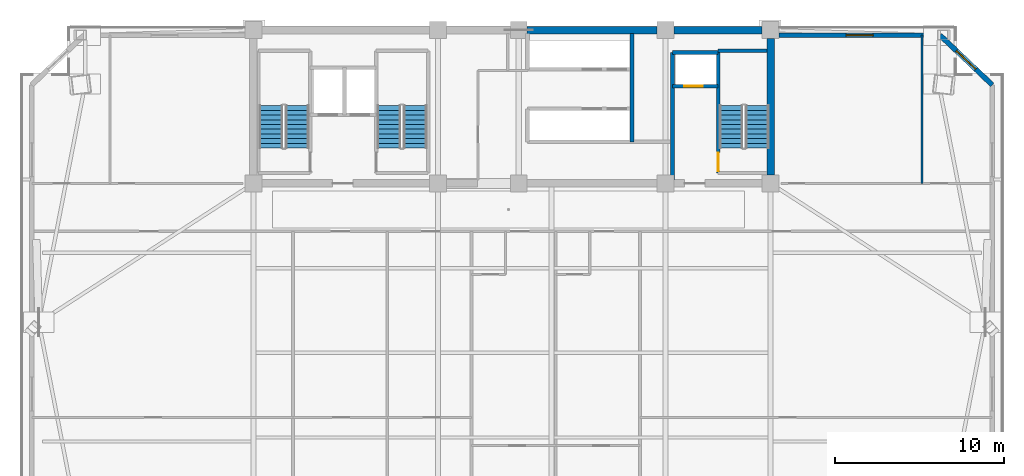
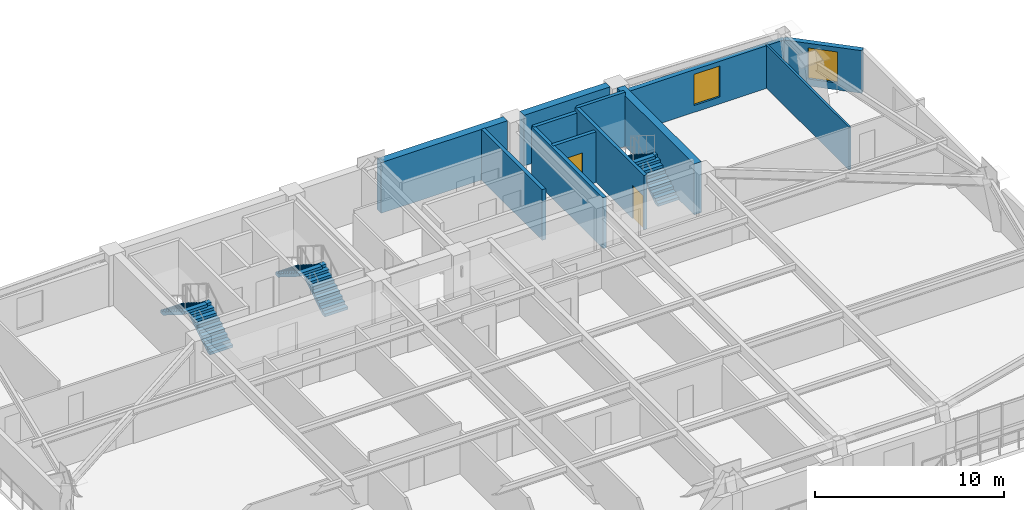
# One storey, part 10 of 16: 12 walls, 6 stair flights, 2 doors, 2 windows, 4 openings, 3 elements without a shape of their own.
"""IFC4 building model written with IfcOpenShell, lengths in metres."""

from ifc_helpers import new_model, si_unit, direction, frame, frame_2d, origin, place, context, subcontext, project, spatial, polyline, rectangle, outline, extrude, source, transform, mapped, material, layer, layer_set, type_object, element, fill, aggregate, save


model = new_model("IFC4")

# Units and contexts
model_context = context("Model", 3, precision=1e-05, world=origin(), true_north=direction((0.0, 1.0)))
body_context = subcontext(model_context, "Body", "Model", "MODEL_VIEW")
ifc_project = project(units=[si_unit("LENGTHUNIT", "METRE"), si_unit("AREAUNIT", "SQUARE_METRE"), si_unit("VOLUMEUNIT", "CUBIC_METRE"), si_unit("PLANEANGLEUNIT", "RADIAN"), si_unit("MASSUNIT", "GRAM", prefix="KILO")], contexts=[model_context])

# Site, building, storey
site_placement = place(None, origin())
site = spatial("IfcSite", under=ifc_project, at=site_placement, CompositionType="ELEMENT")
building_placement = place(site_placement, origin())
building = spatial("IfcBuilding", under=site, at=building_placement, Name="Giltprow Tower", CompositionType="ELEMENT")
storey_placement = place(building_placement, frame((0.0, 0.0, 209.699951171875)))
storey = spatial("IfcBuildingStorey", under=building, at=storey_placement, Name="L53", CompositionType="ELEMENT", Elevation=209.699951171875)

# Wall, opening, window
ifc_material_1 = material(Name="Precast concrete C40", Category="concrete")
ifc_layer_1 = layer(ifc_material_1, 0.300048828125, Name="Precast concrete C40")
ifc_layer_set_1 = layer_set([ifc_layer_1], Name="Precast concrete C40")
wall_type_1 = type_object("IfcWallType", Name="EW-NOTCH-CHAMFER-300", PredefinedType="SOLIDWALL", material=ifc_layer_set_1)
wall_1_placement = place(storey_placement, frame((63.697998046875, 43.300048828125, 0.0), z_axis=(0.0, 0.0, 1.0), x_axis=(-0.724432277522, 0.689345976476, 0.0)))
wall_1 = element("IfcWall", 1, at=wall_1_placement, inside=storey, type_object=wall_type_1, Name="L53 Corner Notch Wall NE", PredefinedType="SOLIDWALL", context=body_context, shape_type="SweptSolid", body=[
    extrude(rectangle(XDim=4.279296875, YDim=0.300048828125, at=frame_2d((2.1396484375, 0.0))), origin(), (0.0, 0.0, 1.0), 2.75),
])
opening_1_placement = place(wall_1_placement, frame((1.340087890625, 0.0, 0.449951171875)))
opening_1 = element("IfcOpeningElement", 2, at=opening_1_placement, cuts=wall_1, Name="Opening WN17", PredefinedType="OPENING", context=body_context, shape_type="SweptSolid", body=[
    extrude(rectangle(XDim=1.60009765625, YDim=2.0, at=frame_2d((0.800048828125, 1.0))), frame((0.0, 0.159912109375, 0.0), z_axis=(0.0, -1.0, 0.0), x_axis=(1.0, 0.0, 0.0)), (0.0, 0.0, 1.0), 0.320068359375),
])
ifc_material_2 = material(Name="Insulated glass", Category="glass")
window_type = type_object("IfcWindowType", Name="WN-COR-1600x2000", PartitioningType="SINGLE_PANEL", PredefinedType="WINDOW", material=ifc_material_2)
shared_shape_1 = source(origin(), body_context, "Body", "SweptSolid", [
    extrude(rectangle(XDim=1.60009765625, YDim=2.0, at=frame_2d((0.800048828125, 1.0))), frame((0.0, 0.030029296875, 0.0), z_axis=(0.0, -1.0, 0.0), x_axis=(1.0, 0.0, 0.0)), (0.0, 0.0, 1.0), 0.06005859375),
])
window_1_placement = place(opening_1_placement, origin())
window_1 = element("IfcWindow", 3, at=window_1_placement, inside=storey, type_object=window_type, Name="L53 Corner Notch Window NE", OverallHeight=2.0, OverallWidth=1.60009765625, PartitioningType="SINGLE_PANEL", PredefinedType="WINDOW", context=body_context, shape_type="MappedRepresentation", body=[
    mapped(shared_shape_1, transform((0.0, 0.0, 0.0), x_axis=(1.0, 0.0, 0.0), y_axis=(0.0, 1.0, 0.0), z_axis=(0.0, 0.0, 1.0), scale=1.0)),
])
fill(opening_1, window_1)

ifc_layer_2 = layer(ifc_material_1, 0.280029296875, Name="Precast concrete C40")
ifc_layer_set_2 = layer_set([ifc_layer_2], Name="Precast concrete C40")
wall_type_2 = type_object("IfcWallType", Name="EW-TOW-BRONZE-280", PredefinedType="SOLIDWALL", material=ifc_layer_set_2)
wall_2_placement = place(storey_placement, frame((51.050048828125, 46.25, 0.0), z_axis=(0.0, 0.0, 1.0), x_axis=(1.0, 0.0, 0.0)))
wall_2 = element("IfcWall", 4, at=wall_2_placement, inside=storey, type_object=wall_type_2, Name="L53 North-East Wing Wall", PredefinedType="SOLIDWALL", context=body_context, shape_type="SweptSolid", body=[
    extrude(rectangle(XDim=9.5478515625, YDim=0.280029296875, at=frame_2d((4.77392578125, 0.0))), origin(), (0.0, 0.0, 1.0), 2.75),
])
opening_2_placement = place(wall_2_placement, frame((3.97412109375, 0.0, 0.449951171875)))
opening_2 = element("IfcOpeningElement", 5, at=opening_2_placement, cuts=wall_2, Name="Opening WN17", PredefinedType="OPENING", context=body_context, shape_type="SweptSolid", body=[
    extrude(rectangle(XDim=1.60009765625, YDim=2.0, at=frame_2d((0.800048828125, 1.0))), frame((0.0, 0.14990234375, 0.0), z_axis=(0.0, -1.0, 0.0), x_axis=(1.0, 0.0, 0.0)), (0.0, 0.0, 1.0), 0.300048828125),
])
window_2_placement = place(opening_2_placement, origin())
window_2 = element("IfcWindow", 6, at=window_2_placement, inside=storey, type_object=window_type, Name="L53 North-East Window", OverallHeight=2.0, OverallWidth=1.60009765625, PartitioningType="SINGLE_PANEL", PredefinedType="WINDOW", context=body_context, shape_type="MappedRepresentation", body=[
    mapped(shared_shape_1, transform((0.0, 0.0, 0.0), x_axis=(1.0, 0.0, 0.0), y_axis=(0.0, 1.0, 0.0), z_axis=(0.0, 0.0, 1.0), scale=1.0)),
])
fill(opening_2, window_2)

# Wall, opening, door
ifc_material_3 = material(Name="Concrete C40", Category="concrete")
ifc_layer_3 = layer(ifc_material_3, 0.219970703125, Name="Concrete C40")
ifc_layer_set_3 = layer_set([ifc_layer_3], Name="Concrete C40")
wall_type_3 = type_object("IfcWallType", Name="IW-SHAFT-220", PredefinedType="SOLIDWALL", material=ifc_layer_set_3)
wall_3_placement = place(storey_placement, frame((44.719970703125, 43.219970703125, 0.0), z_axis=(0.0, 0.0, 1.0), x_axis=(1.0, 0.0, 0.0)))
wall_3 = element("IfcWall", 7, at=wall_3_placement, inside=storey, type_object=wall_type_3, Name="L53 FFL2 Front Shaft Wall", PredefinedType="SOLIDWALL", context=body_context, shape_type="SweptSolid", body=[
    extrude(rectangle(XDim=2.719970703125, YDim=0.219970703125, at=frame_2d((1.35986328125, 0.0))), origin(), (0.0, 0.0, 1.0), 3.27001953125),
])
opening_3_placement = place(wall_3_placement, frame((0.699951171875, 0.0, 0.0)))
opening_3 = element("IfcOpeningElement", 8, at=opening_3_placement, cuts=wall_3, Name="Opening LD-11", PredefinedType="OPENING", context=body_context, shape_type="SweptSolid", body=[
    extrude(rectangle(XDim=1.10009765625, YDim=2.199951171875, at=frame_2d((0.550048828125, 1.10009765625))), frame((0.0, 0.119873046875, 0.0), z_axis=(0.0, -1.0, 0.0), x_axis=(1.0, 0.0, 0.0)), (0.0, 0.0, 1.0), 0.239990234375),
])
ifc_material_4 = material(Name="Stainless steel", Category="steel")
door_type_1 = type_object("IfcDoorType", Name="DR-LIFT-LD1100", OperationType="SLIDING_TO_LEFT", PredefinedType="DOOR", material=ifc_material_4)
shared_shape_2 = source(origin(), body_context, "Body", "SweptSolid", [
    extrude(rectangle(XDim=1.10009765625, YDim=2.199951171875, at=frame_2d((0.550048828125, 1.10009765625))), frame((0.0, 0.02490234375, 0.0), z_axis=(0.0, -1.0, 0.0), x_axis=(1.0, 0.0, 0.0)), (0.0, 0.0, 1.0), 0.050048828125),
])
door_1_placement = place(opening_3_placement, origin())
door_1 = element("IfcDoor", 9, at=door_1_placement, inside=storey, type_object=door_type_1, Name="L53 FFL2 Landing Door", OperationType="SLIDING_TO_LEFT", OverallHeight=2.199951171875, OverallWidth=1.10009765625, PredefinedType="DOOR", context=body_context, shape_type="MappedRepresentation", body=[
    mapped(shared_shape_2, transform((0.0, 0.0, 0.0), x_axis=(1.0, 0.0, 0.0), y_axis=(0.0, 1.0, 0.0), z_axis=(0.0, 0.0, 1.0), scale=1.0)),
])
fill(opening_3, door_1)

# Walls
wall_4_placement = place(storey_placement, frame((44.719970703125, 45.219970703125, 0.0), z_axis=(0.0, 0.0, 1.0), x_axis=(1.0, 0.0, 0.0)))
element("IfcWall", 10, at=wall_4_placement, inside=storey, type_object=wall_type_3, Name="L53 FFL2 Back Shaft Wall", PredefinedType="SOLIDWALL", context=body_context, shape_type="SweptSolid", body=[
    extrude(rectangle(XDim=2.719970703125, YDim=0.219970703125, at=frame_2d((1.35986328125, 0.0))), origin(), (0.0, 0.0, 1.0), 3.27001953125),
])
wall_5_placement = place(storey_placement, frame((44.719970703125, 37.655029296875, 0.0), z_axis=(0.0, 0.0, 1.0), x_axis=(0.0, 1.0, 0.0)))
element("IfcWall", 11, at=wall_5_placement, inside=storey, type_object=wall_type_3, Name="L53 East Firefighting Lobby West Wall", PredefinedType="SOLIDWALL", context=body_context, shape_type="SweptSolid", body=[
    extrude(rectangle(XDim=7.56494140625, YDim=0.219970703125, at=frame_2d((3.782470703125, 0.0))), origin(), (0.0, 0.0, 1.0), 3.27001953125),
])
wall_6_placement = place(storey_placement, frame((42.320068359375, 39.919921875, 0.0), z_axis=(0.0, 0.0, 1.0), x_axis=(0.0, 1.0, 0.0)))
element("IfcWall", 12, at=wall_6_placement, inside=storey, type_object=wall_type_3, Name="L53 Mid-Rise Lift Bank East Closure", PredefinedType="SOLIDWALL", context=body_context, shape_type="SweptSolid", body=[
    extrude(rectangle(XDim=6.425048828125, YDim=0.219970703125, at=frame_2d((3.21240234375, 0.0))), origin(), (0.0, 0.0, 1.0), 3.27001953125),
])

# Wall, opening, door
ifc_layer_4 = layer(ifc_material_3, 0.199951171875, Name="Concrete C40")
ifc_layer_set_4 = layer_set([ifc_layer_4], Name="Concrete C40")
wall_type_4 = type_object("IfcWallType", Name="IW-STAIR-200", PredefinedType="SOLIDWALL", material=ifc_layer_set_4)
wall_7_placement = place(storey_placement, frame((47.43994140625, 38.070068359375, 0.0), z_axis=(0.0, 0.0, 1.0), x_axis=(0.0, 1.0, 0.0)))
wall_7 = element("IfcWall", 13, at=wall_7_placement, inside=storey, type_object=wall_type_4, Name="L53 Stair ST-3 West Bearing Wall", PredefinedType="SOLIDWALL", context=body_context, shape_type="SweptSolid", body=[
    extrude(rectangle(XDim=7.25, YDim=0.199951171875, at=frame_2d((3.625, 0.0))), origin(), (0.0, 0.0, 1.0), 3.5),
])
opening_4_placement = place(wall_7_placement, frame((0.110107421875, 0.0, 0.0)))
opening_4 = element("IfcOpeningElement", 14, at=opening_4_placement, cuts=wall_7, Name="Opening ID33", PredefinedType="OPENING", context=body_context, shape_type="SweptSolid", body=[
    extrude(rectangle(XDim=1.10009765625, YDim=2.14990234375, at=frame_2d((0.550048828125, 1.074951171875))), frame((0.0, 0.10986328125, 0.0), z_axis=(0.0, -1.0, 0.0), x_axis=(1.0, 0.0, 0.0)), (0.0, 0.0, 1.0), 0.219970703125),
])
ifc_material_5 = material(Name="Steel fire leaf", Category="steel")
door_type_2 = type_object("IfcDoorType", Name="DR-STAIR-1100", OperationType="SINGLE_SWING_LEFT", PredefinedType="DOOR", material=ifc_material_5)
shared_shape_3 = source(origin(), body_context, "Body", "SweptSolid", [
    extrude(rectangle(XDim=1.10009765625, YDim=2.14990234375, at=frame_2d((0.550048828125, 1.074951171875))), frame((0.0, 0.02490234375, 0.0), z_axis=(0.0, -1.0, 0.0), x_axis=(1.0, 0.0, 0.0)), (0.0, 0.0, 1.0), 0.050048828125),
])
door_2_placement = place(opening_4_placement, origin())
door_2 = element("IfcDoor", 15, at=door_2_placement, inside=storey, type_object=door_type_2, Name="L53 Stair ST-3 Fire Door", OperationType="SINGLE_SWING_LEFT", OverallHeight=2.14990234375, OverallWidth=1.10009765625, PredefinedType="DOOR", context=body_context, shape_type="MappedRepresentation", body=[
    mapped(shared_shape_3, transform((0.0, 0.0, 0.0), x_axis=(1.0, 0.0, 0.0), y_axis=(0.0, 1.0, 0.0), z_axis=(0.0, 0.0, 1.0), scale=1.0)),
])
fill(opening_4, door_2)

# Walls
wall_8_placement = place(storey_placement, frame((47.43994140625, 45.320068359375, 0.0), z_axis=(0.0, 0.0, 1.0), x_axis=(1.0, 0.0, 0.0)))
element("IfcWall", 16, at=wall_8_placement, inside=storey, type_object=wall_type_4, Name="L53 Stair ST-3 North Bearing Wall", PredefinedType="SOLIDWALL", context=body_context, shape_type="SweptSolid", body=[
    extrude(rectangle(XDim=2.905029296875, YDim=0.199951171875, at=frame_2d((1.45263671875, 0.0))), origin(), (0.0, 0.0, 1.0), 3.5),
])
ifc_material_6 = material(Name="Concrete C30", Category="concrete")
ifc_layer_5 = layer(ifc_material_6, 0.1298828125, Name="Concrete C30")
ifc_layer_set_5 = layer_set([ifc_layer_5], Name="Concrete C30")
wall_type_5 = type_object("IfcWallType", Name="IW-WET-130", PredefinedType="PARTITIONING", material=ifc_layer_set_5)
wall_9_placement = place(storey_placement, frame((59.531982421875, 37.449951171875, 0.0), z_axis=(0.0, 0.0, 1.0), x_axis=(0.0, 1.0, 0.0)))
element("IfcWall", 17, at=wall_9_placement, inside=storey, type_object=wall_type_5, Name="L53 NE Wing Divider", PredefinedType="PARTITIONING", context=body_context, shape_type="SweptSolid", body=[
    extrude(rectangle(XDim=8.800048828125, YDim=0.1298828125, at=frame_2d((4.39990234375, 0.0))), origin(), (0.0, 0.0, 1.0), 2.755126953125),
])
ifc_material_7 = material(Name="Concrete C50", Category="concrete")
ifc_layer_6 = layer(ifc_material_7, 0.449951171875, Name="Concrete C50")
ifc_layer_set_6 = layer_set([ifc_layer_6], Name="Concrete C50")
wall_type_6 = type_object("IfcWallType", Name="SW-EXT-450-C50", PredefinedType="SHEAR", material=ifc_layer_set_6)
wall_10_placement = place(storey_placement, frame((36.10009765625, 46.550048828125, 0.0), z_axis=(0.0, 0.0, 1.0), x_axis=(1.0, 0.0, 0.0)))
element("IfcWall", 18, at=wall_10_placement, inside=storey, type_object=wall_type_6, Name="L53 North Rear Core Shear Wall 3", PredefinedType="SHEAR", context=body_context, shape_type="SweptSolid", body=[
    extrude(rectangle(XDim=7.699951171875, YDim=0.449951171875, at=frame_2d((3.85009765625, 0.0))), origin(), (0.0, 0.0, 1.0), 3.27001953125),
])
wall_11_placement = place(storey_placement, frame((44.800048828125, 46.550048828125, 0.0), z_axis=(0.0, 0.0, 1.0), x_axis=(1.0, 0.0, 0.0)))
element("IfcWall", 19, at=wall_11_placement, inside=storey, type_object=wall_type_6, Name="L53 North Rear Core Shear Wall 4", PredefinedType="SHEAR", context=body_context, shape_type="SweptSolid", body=[
    extrude(rectangle(XDim=5.25, YDim=0.449951171875, at=frame_2d((2.625, 0.0))), origin(), (0.0, 0.0, 1.0), 3.27001953125),
])
ifc_layer_7 = layer(ifc_material_7, 0.449951171875, Name="Concrete C50")
ifc_layer_set_7 = layer_set([ifc_layer_7], Name="Concrete C50")
wall_type_7 = type_object("IfcWallType", Name="SW-INT-450-C50", PredefinedType="SHEAR", material=ifc_layer_set_7)
wall_12_placement = place(storey_placement, frame((50.550048828125, 37.949951171875, 0.0), z_axis=(0.0, 0.0, 1.0), x_axis=(0.0, 1.0, 0.0)))
element("IfcWall", 20, at=wall_12_placement, inside=storey, type_object=wall_type_7, Name="L53 E Rear Core Shear Wall", PredefinedType="SHEAR", context=body_context, shape_type="SweptSolid", body=[
    extrude(rectangle(XDim=8.10009765625, YDim=0.449951171875, at=frame_2d((4.050048828125, 0.0))), origin(), (0.0, 0.0, 1.0), 3.27001953125),
])

# Stair, stair flights
stair_type_1 = type_object("IfcStairType", Name="STR-ST-1", PredefinedType="HALF_TURN_STAIR", material=ifc_material_3)
stair_1_placement = place(storey_placement, origin())
stair_1 = element("IfcStair", 21, at=stair_1_placement, inside=storey, type_object=stair_type_1, Name="L53 Core Exit Stair ST-1", PredefinedType="HALF_TURN_STAIR")
stair_flight_type_1 = type_object("IfcStairFlightType", Name="SFL-ST-1", PredefinedType="STRAIGHT", material=ifc_material_3)
stair_flight_1_placement = place(storey_placement, frame((22.4599609375, 39.550048828125, 0.0), z_axis=(0.0, 0.0, 1.0), x_axis=(0.0, 1.0, 0.0)))
stair_flight_1 = element("IfcStairFlight", 22, at=stair_flight_1_placement, type_object=stair_flight_type_1, Name="ST-1 flight 1", NumberOfRisers=10, NumberOfTreads=9, PredefinedType="STRAIGHT", RiserHeight=0.175, TreadLength=0.28, context=body_context, shape_type="SweptSolid", body=[
    extrude(outline(polyline([(0.0, 0.0), (0.0, 0.175048828125), (0.280029296875, 0.175048828125), (0.280029296875, 0.35009765625), (0.56005859375, 0.35009765625), (0.56005859375, 0.52490234375), (0.840087890625, 0.52490234375), (0.840087890625, 0.699951171875), (1.1201171875, 0.699951171875), (1.1201171875, 0.875), (1.39990234375, 0.875), (1.39990234375, 1.050048828125), (1.679931640625, 1.050048828125), (1.679931640625, 1.22509765625), (1.9599609375, 1.22509765625), (1.9599609375, 1.39990234375), (2.239990234375, 1.39990234375), (2.239990234375, 1.574951171875), (2.52001953125, 1.574951171875), (2.52001953125, 1.75), (2.52001953125, 1.398193359375), (0.28271484375, 0.0), (0.0, 0.0)])), frame((0.0, 0.699951171875, 0.0), z_axis=(0.0, -1.0, 0.0), x_axis=(1.0, 0.0, 0.0)), (0.0, 0.0, 1.0), 1.39990234375),
])
stair_flight_2_placement = place(storey_placement, frame((20.89990234375, 42.070068359375, 1.75), z_axis=(0.0, 0.0, 1.0), x_axis=(0.0, -1.0, 0.0)))
stair_flight_2 = element("IfcStairFlight", 23, at=stair_flight_2_placement, type_object=stair_flight_type_1, Name="ST-1 flight 2", NumberOfRisers=10, NumberOfTreads=9, PredefinedType="STRAIGHT", RiserHeight=0.175, TreadLength=0.28, context=body_context, shape_type="SweptSolid", body=[
    extrude(outline(polyline([(0.0, 0.0), (0.0, 0.175048828125), (0.280029296875, 0.175048828125), (0.280029296875, 0.35009765625), (0.56005859375, 0.35009765625), (0.56005859375, 0.52490234375), (0.840087890625, 0.52490234375), (0.840087890625, 0.699951171875), (1.1201171875, 0.699951171875), (1.1201171875, 0.875), (1.39990234375, 0.875), (1.39990234375, 1.050048828125), (1.679931640625, 1.050048828125), (1.679931640625, 1.22509765625), (1.9599609375, 1.22509765625), (1.9599609375, 1.39990234375), (2.239990234375, 1.39990234375), (2.239990234375, 1.574951171875), (2.52001953125, 1.574951171875), (2.52001953125, 1.75), (2.52001953125, 1.398193359375), (0.28271484375, 0.0), (0.0, 0.0)])), frame((0.0, 0.699951171875, 0.0), z_axis=(0.0, -1.0, 0.0), x_axis=(1.0, 0.0, 0.0)), (0.0, 0.0, 1.0), 1.39990234375),
])
aggregate(stair_1, [stair_flight_1, stair_flight_2])

stair_type_2 = type_object("IfcStairType", Name="STR-ST-2", PredefinedType="HALF_TURN_STAIR", material=ifc_material_3)
stair_2_placement = place(storey_placement, origin())
stair_2 = element("IfcStair", 24, at=stair_2_placement, inside=storey, type_object=stair_type_2, Name="L53 Core Exit Stair ST-2", PredefinedType="HALF_TURN_STAIR")
stair_flight_type_2 = type_object("IfcStairFlightType", Name="SFL-ST-2", PredefinedType="STRAIGHT", material=ifc_material_3)
stair_flight_3_placement = place(storey_placement, frame((29.4599609375, 39.550048828125, 0.0), z_axis=(0.0, 0.0, 1.0), x_axis=(0.0, 1.0, 0.0)))
stair_flight_3 = element("IfcStairFlight", 25, at=stair_flight_3_placement, type_object=stair_flight_type_2, Name="ST-2 flight 1", NumberOfRisers=10, NumberOfTreads=9, PredefinedType="STRAIGHT", RiserHeight=0.175, TreadLength=0.28, context=body_context, shape_type="SweptSolid", body=[
    extrude(outline(polyline([(0.0, 0.0), (0.0, 0.175048828125), (0.280029296875, 0.175048828125), (0.280029296875, 0.35009765625), (0.56005859375, 0.35009765625), (0.56005859375, 0.52490234375), (0.840087890625, 0.52490234375), (0.840087890625, 0.699951171875), (1.1201171875, 0.699951171875), (1.1201171875, 0.875), (1.39990234375, 0.875), (1.39990234375, 1.050048828125), (1.679931640625, 1.050048828125), (1.679931640625, 1.22509765625), (1.9599609375, 1.22509765625), (1.9599609375, 1.39990234375), (2.239990234375, 1.39990234375), (2.239990234375, 1.574951171875), (2.52001953125, 1.574951171875), (2.52001953125, 1.75), (2.52001953125, 1.398193359375), (0.28271484375, 0.0), (0.0, 0.0)])), frame((0.0, 0.699951171875, 0.0), z_axis=(0.0, -1.0, 0.0), x_axis=(1.0, 0.0, 0.0)), (0.0, 0.0, 1.0), 1.39990234375),
])
stair_flight_4_placement = place(storey_placement, frame((27.89990234375, 42.070068359375, 1.75), z_axis=(0.0, 0.0, 1.0), x_axis=(0.0, -1.0, 0.0)))
stair_flight_4 = element("IfcStairFlight", 26, at=stair_flight_4_placement, type_object=stair_flight_type_2, Name="ST-2 flight 2", NumberOfRisers=10, NumberOfTreads=9, PredefinedType="STRAIGHT", RiserHeight=0.175, TreadLength=0.28, context=body_context, shape_type="SweptSolid", body=[
    extrude(outline(polyline([(0.0, 0.0), (0.0, 0.175048828125), (0.280029296875, 0.175048828125), (0.280029296875, 0.35009765625), (0.56005859375, 0.35009765625), (0.56005859375, 0.52490234375), (0.840087890625, 0.52490234375), (0.840087890625, 0.699951171875), (1.1201171875, 0.699951171875), (1.1201171875, 0.875), (1.39990234375, 0.875), (1.39990234375, 1.050048828125), (1.679931640625, 1.050048828125), (1.679931640625, 1.22509765625), (1.9599609375, 1.22509765625), (1.9599609375, 1.39990234375), (2.239990234375, 1.39990234375), (2.239990234375, 1.574951171875), (2.52001953125, 1.574951171875), (2.52001953125, 1.75), (2.52001953125, 1.398193359375), (0.28271484375, 0.0), (0.0, 0.0)])), frame((0.0, 0.699951171875, 0.0), z_axis=(0.0, -1.0, 0.0), x_axis=(1.0, 0.0, 0.0)), (0.0, 0.0, 1.0), 1.39990234375),
])
aggregate(stair_2, [stair_flight_3, stair_flight_4])

stair_type_3 = type_object("IfcStairType", Name="STR-ST-3", PredefinedType="HALF_TURN_STAIR", material=ifc_material_3)
stair_3_placement = place(storey_placement, origin())
stair_3 = element("IfcStair", 27, at=stair_3_placement, inside=storey, type_object=stair_type_3, Name="L53 Core Exit Stair ST-3", PredefinedType="HALF_TURN_STAIR")
stair_flight_type_3 = type_object("IfcStairFlightType", Name="SFL-ST-3", PredefinedType="STRAIGHT", material=ifc_material_3)
stair_flight_5_placement = place(storey_placement, frame((49.760009765625, 39.550048828125, 0.0), z_axis=(0.0, 0.0, 1.0), x_axis=(0.0, 1.0, 0.0)))
stair_flight_5 = element("IfcStairFlight", 28, at=stair_flight_5_placement, type_object=stair_flight_type_3, Name="ST-3 flight 1", NumberOfRisers=10, NumberOfTreads=9, PredefinedType="STRAIGHT", RiserHeight=0.175, TreadLength=0.28, context=body_context, shape_type="SweptSolid", body=[
    extrude(outline(polyline([(0.0, 0.0), (0.0, 0.175048828125), (0.280029296875, 0.175048828125), (0.280029296875, 0.35009765625), (0.56005859375, 0.35009765625), (0.56005859375, 0.52490234375), (0.840087890625, 0.52490234375), (0.840087890625, 0.699951171875), (1.1201171875, 0.699951171875), (1.1201171875, 0.875), (1.39990234375, 0.875), (1.39990234375, 1.050048828125), (1.679931640625, 1.050048828125), (1.679931640625, 1.22509765625), (1.9599609375, 1.22509765625), (1.9599609375, 1.39990234375), (2.239990234375, 1.39990234375), (2.239990234375, 1.574951171875), (2.52001953125, 1.574951171875), (2.52001953125, 1.75), (2.52001953125, 1.398193359375), (0.28271484375, 0.0), (0.0, 0.0)])), frame((0.0, 0.699951171875, 0.0), z_axis=(0.0, -1.0, 0.0), x_axis=(1.0, 0.0, 0.0)), (0.0, 0.0, 1.0), 1.39990234375),
])
stair_flight_6_placement = place(storey_placement, frame((48.199951171875, 42.070068359375, 1.75), z_axis=(0.0, 0.0, 1.0), x_axis=(0.0, -1.0, 0.0)))
stair_flight_6 = element("IfcStairFlight", 29, at=stair_flight_6_placement, type_object=stair_flight_type_3, Name="ST-3 flight 2", NumberOfRisers=10, NumberOfTreads=9, PredefinedType="STRAIGHT", RiserHeight=0.175, TreadLength=0.28, context=body_context, shape_type="SweptSolid", body=[
    extrude(outline(polyline([(0.0, 0.0), (0.0, 0.175048828125), (0.280029296875, 0.175048828125), (0.280029296875, 0.35009765625), (0.56005859375, 0.35009765625), (0.56005859375, 0.52490234375), (0.840087890625, 0.52490234375), (0.840087890625, 0.699951171875), (1.1201171875, 0.699951171875), (1.1201171875, 0.875), (1.39990234375, 0.875), (1.39990234375, 1.050048828125), (1.679931640625, 1.050048828125), (1.679931640625, 1.22509765625), (1.9599609375, 1.22509765625), (1.9599609375, 1.39990234375), (2.239990234375, 1.39990234375), (2.239990234375, 1.574951171875), (2.52001953125, 1.574951171875), (2.52001953125, 1.75), (2.52001953125, 1.398193359375), (0.28271484375, 0.0), (0.0, 0.0)])), frame((0.0, 0.699951171875, 0.0), z_axis=(0.0, -1.0, 0.0), x_axis=(1.0, 0.0, 0.0)), (0.0, 0.0, 1.0), 1.39990234375),
])
aggregate(stair_3, [stair_flight_5, stair_flight_6])

save(model, "model.ifc")
